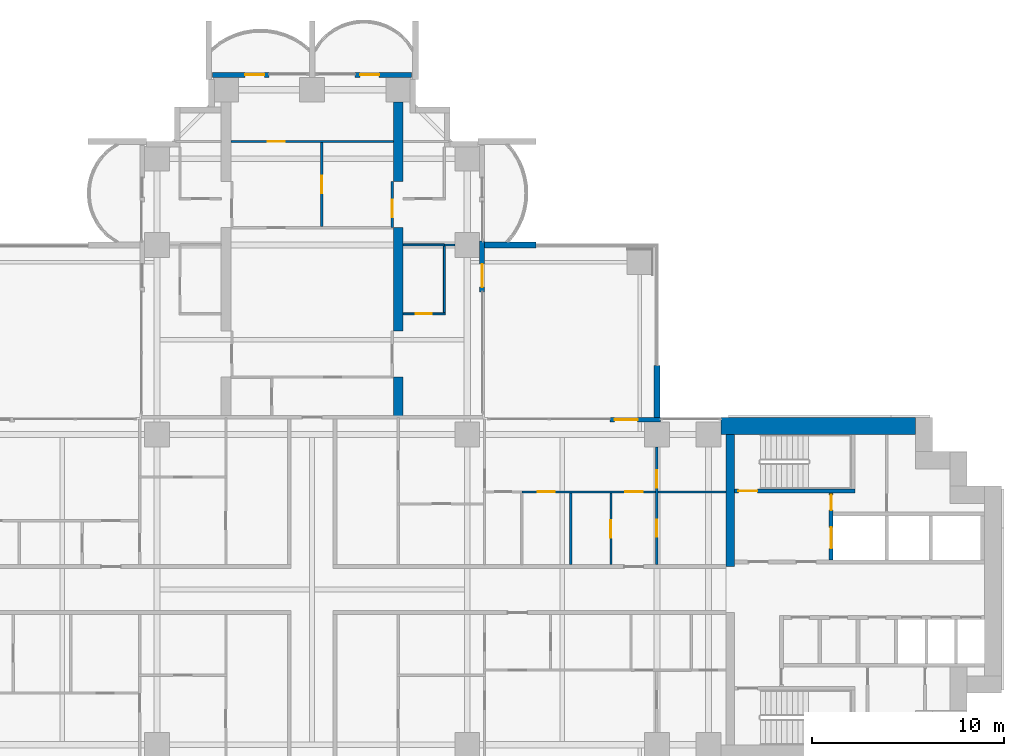
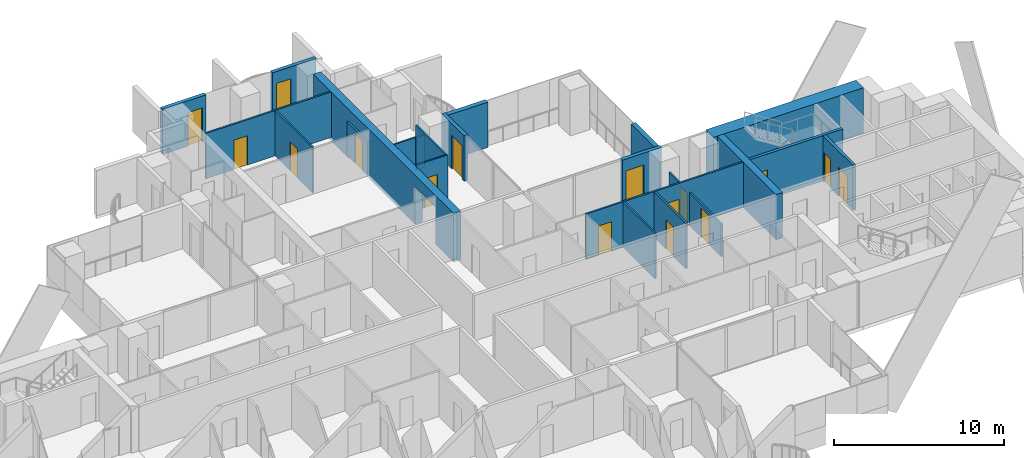
# One storey, part 16 of 23: 22 walls, 16 doors, 16 openings.
"""IFC4 building model written with IfcOpenShell, lengths in metres."""

from ifc_helpers import new_model, si_unit, direction, frame, frame_2d, origin, place, context, subcontext, project, spatial, polyline, rectangle, outline, extrude, material, layer, layer_set, material_profile, profile_set, type_object, element, fill, save


model = new_model("IFC4")

# Units and contexts
model_context = context("Model", 3, precision=1e-05, world=origin(), true_north=direction((0.0, 1.0)))
body_context = subcontext(model_context, "Body", "Model", "MODEL_VIEW")
ifc_project = project(units=[si_unit("LENGTHUNIT", "METRE"), si_unit("AREAUNIT", "SQUARE_METRE"), si_unit("VOLUMEUNIT", "CUBIC_METRE"), si_unit("PLANEANGLEUNIT", "RADIAN"), si_unit("MASSUNIT", "GRAM", prefix="KILO")], contexts=[model_context])

# Site, building, storey
site_placement = place(None, origin())
site = spatial("IfcSite", under=ifc_project, at=site_placement, CompositionType="ELEMENT")
building_placement = place(site_placement, origin())
building = spatial("IfcBuilding", under=site, at=building_placement, Name="Perihelion Cross Residences", CompositionType="ELEMENT")
storey_placement = place(building_placement, frame((0.0, 0.0, 85.5)))
storey = spatial("IfcBuildingStorey", under=building, at=storey_placement, Name="L19", CompositionType="ELEMENT", Elevation=85.5)

# Wall, opening, door
ifc_material_1 = material(Name="Concrete C30/37, bronze-clad", Category="concrete")
ifc_layer_1 = layer(ifc_material_1, 0.25)
ifc_layer_set_1 = layer_set([ifc_layer_1], Name="Bronze-clad pier wall 250")
wall_type_1 = type_object("IfcWallType", Name="Bronze-clad pier wall 250", PredefinedType="SOLIDWALL", material=ifc_layer_set_1)
wall_1_placement = place(storey_placement, frame((18.199951171875, 8.875, 0.0), z_axis=(0.0, 0.0, 1.0), x_axis=(-1.0, 0.0, 0.0)))
wall_1 = element("IfcWall", 1, at=wall_1_placement, inside=storey, type_object=wall_type_1, Name="Wall FW1 L19 east side north bay 2 pier", PredefinedType="SOLIDWALL", context=body_context, shape_type="SweptSolid", body=[
    extrude(rectangle(XDim=2.64990234375, YDim=0.25, at=frame_2d((1.324951171875, 0.0))), origin(), (0.0, 0.0, 1.0), 3.25),
])
opening_1_placement = place(wall_1_placement, frame((1.199951171875, 0.0, 0.0)))
opening_1 = element("IfcOpeningElement", 2, at=opening_1_placement, cuts=wall_1, Name="Opening L19.E01", PredefinedType="OPENING", context=body_context, shape_type="SweptSolid", body=[
    extrude(rectangle(XDim=1.199951171875, YDim=2.39990234375, at=frame_2d((0.60009765625, 1.199951171875))), frame((0.0, 0.135009765625, 0.0), z_axis=(0.0, -1.0, 0.0), x_axis=(1.0, 0.0, 0.0)), (0.0, 0.0, 1.0), 0.27001953125),
])
ifc_material_2 = material(Name="Bronze anodised aluminium, glazed", Category="aluminium")
door_type_1 = type_object("IfcDoorType", Name="Balcony door 1200 x 2400", OperationType="NOTDEFINED", PredefinedType="DOOR", material=ifc_material_2)
door_1_placement = place(opening_1_placement, origin())
door_1 = element("IfcDoor", 3, at=door_1_placement, inside=storey, type_object=door_type_1, Name="Door L19.E01 east side north bay 2", OperationType="SINGLE_SWING_RIGHT", OverallHeight=2.39990234375, OverallWidth=1.199951171875, PredefinedType="DOOR", context=body_context, shape_type="SweptSolid", body=[
    extrude(rectangle(XDim=1.199951171875, YDim=2.39990234375, at=frame_2d((0.60009765625, 1.199951171875))), frame((0.0, 0.02490234375, 0.0), z_axis=(0.0, -1.0, 0.0), x_axis=(1.0, 0.0, 0.0)), (0.0, 0.0, 1.0), 0.050048828125),
])
fill(opening_1, door_1)

wall_2_placement = place(storey_placement, frame((8.875, 15.550048828125, 0.0), z_axis=(0.0, 0.0, 1.0), x_axis=(0.0, 1.0, 0.0)))
wall_2 = element("IfcWall", 4, at=wall_2_placement, inside=storey, type_object=wall_type_1, Name="Wall FW1 L19 north side east bay 1 pier", PredefinedType="SOLIDWALL", context=body_context, shape_type="SweptSolid", body=[
    extrude(rectangle(XDim=2.64990234375, YDim=0.25, at=frame_2d((1.324951171875, 0.0))), origin(), (0.0, 0.0, 1.0), 3.25),
])
opening_2_placement = place(wall_2_placement, frame((0.25, 0.0, 0.0)))
opening_2 = element("IfcOpeningElement", 5, at=opening_2_placement, cuts=wall_2, Name="Opening L19.E02", PredefinedType="OPENING", context=body_context, shape_type="SweptSolid", body=[
    extrude(rectangle(XDim=1.199951171875, YDim=2.39990234375, at=frame_2d((0.60009765625, 1.199951171875))), frame((0.0, 0.135009765625, 0.0), z_axis=(0.0, -1.0, 0.0), x_axis=(1.0, 0.0, 0.0)), (0.0, 0.0, 1.0), 0.27001953125),
])
door_2_placement = place(opening_2_placement, origin())
door_2 = element("IfcDoor", 6, at=door_2_placement, inside=storey, type_object=door_type_1, Name="Door L19.E02 north side east bay 1", OperationType="SINGLE_SWING_LEFT", OverallHeight=2.39990234375, OverallWidth=1.199951171875, PredefinedType="DOOR", context=body_context, shape_type="SweptSolid", body=[
    extrude(rectangle(XDim=1.199951171875, YDim=2.39990234375, at=frame_2d((0.60009765625, 1.199951171875))), frame((0.0, 0.02490234375, 0.0), z_axis=(0.0, -1.0, 0.0), x_axis=(1.0, 0.0, 0.0)), (0.0, 0.0, 1.0), 0.050048828125),
])
fill(opening_2, door_2)

wall_3_placement = place(storey_placement, frame((5.199951171875, 26.875, 0.0), z_axis=(0.0, 0.0, 1.0), x_axis=(-1.0, 0.0, 0.0)))
wall_3 = element("IfcWall", 7, at=wall_3_placement, inside=storey, type_object=wall_type_1, Name="Wall FW1 L19 north tip north bay 1 pier", PredefinedType="SOLIDWALL", context=body_context, shape_type="SweptSolid", body=[
    extrude(rectangle(XDim=2.949951171875, YDim=0.25, at=frame_2d((1.47509765625, 0.0))), origin(), (0.0, 0.0, 1.0), 3.25),
])
opening_3_placement = place(wall_3_placement, frame((1.699951171875, 0.0, 0.0)))
opening_3 = element("IfcOpeningElement", 8, at=opening_3_placement, cuts=wall_3, Name="Opening L19.E04", PredefinedType="OPENING", context=body_context, shape_type="SweptSolid", body=[
    extrude(rectangle(XDim=1.0, YDim=2.39990234375, at=frame_2d((0.5, 1.199951171875))), frame((0.0, 0.135009765625, 0.0), z_axis=(0.0, -1.0, 0.0), x_axis=(1.0, 0.0, 0.0)), (0.0, 0.0, 1.0), 0.27001953125),
])
ifc_material_3 = material(Name="Bronze anodised aluminium, glazed", Category="aluminium")
door_type_2 = type_object("IfcDoorType", Name="Balcony door 1000 x 2400", OperationType="NOTDEFINED", PredefinedType="DOOR", material=ifc_material_3)
door_3_placement = place(opening_3_placement, origin())
door_3 = element("IfcDoor", 9, at=door_3_placement, inside=storey, type_object=door_type_2, Name="Door L19.E04 north tip north bay 1", OperationType="SINGLE_SWING_LEFT", OverallHeight=2.39990234375, OverallWidth=1.0, PredefinedType="DOOR", context=body_context, shape_type="SweptSolid", body=[
    extrude(rectangle(XDim=1.0, YDim=2.39990234375, at=frame_2d((0.5, 1.199951171875))), frame((0.0, 0.02490234375, 0.0), z_axis=(0.0, -1.0, 0.0), x_axis=(1.0, 0.0, 0.0)), (0.0, 0.0, 1.0), 0.050048828125),
])
fill(opening_3, door_3)

wall_4_placement = place(storey_placement, frame((-2.25, 26.875, 0.0), z_axis=(0.0, 0.0, 1.0), x_axis=(-1.0, 0.0, 0.0)))
wall_4 = element("IfcWall", 10, at=wall_4_placement, inside=storey, type_object=wall_type_1, Name="Wall FW1 L19 north tip north bay 2 pier", PredefinedType="SOLIDWALL", context=body_context, shape_type="SweptSolid", body=[
    extrude(rectangle(XDim=2.949951171875, YDim=0.25, at=frame_2d((1.47509765625, 0.0))), origin(), (0.0, 0.0, 1.0), 3.25),
])
opening_4_placement = place(wall_4_placement, frame((0.25, 0.0, 0.0)))
opening_4 = element("IfcOpeningElement", 11, at=opening_4_placement, cuts=wall_4, Name="Opening L19.E05", PredefinedType="OPENING", context=body_context, shape_type="SweptSolid", body=[
    extrude(rectangle(XDim=1.0, YDim=2.39990234375, at=frame_2d((0.5, 1.199951171875))), frame((0.0, 0.135009765625, 0.0), z_axis=(0.0, -1.0, 0.0), x_axis=(1.0, 0.0, 0.0)), (0.0, 0.0, 1.0), 0.27001953125),
])
door_4_placement = place(opening_4_placement, origin())
door_4 = element("IfcDoor", 12, at=door_4_placement, inside=storey, type_object=door_type_2, Name="Door L19.E05 north tip north bay 2", OperationType="SINGLE_SWING_RIGHT", OverallHeight=2.39990234375, OverallWidth=1.0, PredefinedType="DOOR", context=body_context, shape_type="SweptSolid", body=[
    extrude(rectangle(XDim=1.0, YDim=2.39990234375, at=frame_2d((0.5, 1.199951171875))), frame((0.0, 0.02490234375, 0.0), z_axis=(0.0, -1.0, 0.0), x_axis=(1.0, 0.0, 0.0)), (0.0, 0.0, 1.0), 0.050048828125),
])
fill(opening_4, door_4)

# Walls
ifc_material_4 = material(Name="Concrete C60/75", Category="concrete")
ifc_layer_2 = layer(ifc_material_4, 0.449951171875)
ifc_layer_set_2 = layer_set([ifc_layer_2], Name="Core wall, inner 450")
wall_type_2 = type_object("IfcWallType", Name="Core wall, inner 450", PredefinedType="SHEAR", material=ifc_layer_set_2)
wall_5_placement = place(storey_placement, frame((21.824951171875, 1.199951171875, 0.0), z_axis=(0.0, 0.0, 1.0), x_axis=(0.0, 1.0, 0.0)))
element("IfcWall", 13, at=wall_5_placement, inside=storey, type_object=wall_type_2, Name="East core core wall, inner", PredefinedType="SHEAR", context=body_context, shape_type="SweptSolid", body=[
    extrude(rectangle(XDim=6.900146484375, YDim=0.449951171875, at=frame_2d((3.4501953125, 0.0))), origin(), (0.0, 0.0, 1.0), 3.25),
])
ifc_material_5 = material(Name="Concrete C60/75", Category="concrete")
ifc_layer_3 = layer(ifc_material_5, 0.89990234375)
ifc_layer_set_3 = layer_set([ifc_layer_3], Name="Core wall, outer 900")
wall_type_3 = type_object("IfcWallType", Name="Core wall, outer 900", PredefinedType="SHEAR", material=ifc_layer_set_3)
wall_6_placement = place(storey_placement, frame((21.35009765625, 8.550048828125, 0.0), z_axis=(0.0, 0.0, 1.0), x_axis=(1.0, 0.0, 0.0)))
element("IfcWall", 14, at=wall_6_placement, inside=storey, type_object=wall_type_3, Name="East core core wall, outer", PredefinedType="SHEAR", context=body_context, shape_type="SweptSolid", body=[
    extrude(rectangle(XDim=10.14990234375, YDim=0.89990234375, at=frame_2d((5.074951171875, 0.0))), origin(), (0.0, 0.0, 1.0), 3.25),
])

# Wall, opening, door
ifc_material_6 = material(Name="Plasterboard partition")
ifc_layer_4 = layer(ifc_material_6, 0.1201171875)
ifc_layer_set_4 = layer_set([ifc_layer_4], Name="Infill panel 120")
wall_type_4 = type_object("IfcWallType", Name="Infill panel 120", PredefinedType="PARTITIONING", material=ifc_layer_set_4)
wall_7_placement = place(storey_placement, frame((4.18994140625, 18.89990234375, 0.0), z_axis=(0.0, 0.0, 1.0), x_axis=(0.0, 1.0, 0.0)))
wall_7 = element("IfcWall", 15, at=wall_7_placement, inside=storey, type_object=wall_type_4, Name="Partition L19 WI02", PredefinedType="PARTITIONING", context=body_context, shape_type="SweptSolid", body=[
    extrude(rectangle(XDim=2.400146484375, YDim=0.1201171875, at=frame_2d((1.2001953125, 0.0))), origin(), (0.0, 0.0, 1.0), 2.39990234375),
])
opening_5_placement = place(wall_7_placement, frame((0.550048828125, 0.0, 0.0)))
opening_5 = element("IfcOpeningElement", 16, at=opening_5_placement, cuts=wall_7, Name="Opening L19.A58", PredefinedType="OPENING", context=body_context, shape_type="SweptSolid", body=[
    extrude(rectangle(XDim=0.89990234375, YDim=2.10009765625, at=frame_2d((0.449951171875, 1.050048828125))), frame((0.0, 0.070068359375, 0.0), z_axis=(0.0, -1.0, 0.0), x_axis=(1.0, 0.0, 0.0)), (0.0, 0.0, 1.0), 0.14013671875),
])
ifc_material_7 = material(Name="Timber door leaf", Category="wood")
door_type_3 = type_object("IfcDoorType", Name="Interior room door 900 x 2100", OperationType="SINGLE_SWING_LEFT", PredefinedType="DOOR", material=ifc_material_7)
door_5_placement = place(opening_5_placement, origin())
door_5 = element("IfcDoor", 17, at=door_5_placement, inside=storey, type_object=door_type_3, Name="Door L19.A58", OperationType="SINGLE_SWING_RIGHT", OverallHeight=2.10009765625, OverallWidth=0.89990234375, PredefinedType="DOOR", context=body_context, shape_type="SweptSolid", body=[
    extrude(rectangle(XDim=0.89990234375, YDim=2.10009765625, at=frame_2d((0.449951171875, 1.050048828125))), frame((0.0, 0.02490234375, 0.0), z_axis=(0.0, -1.0, 0.0), x_axis=(1.0, 0.0, 0.0)), (0.0, 0.0, 1.0), 0.050048828125),
])
fill(opening_5, door_5)

# Wall
ifc_material_8 = material(Name="Plasterboard partition")
ifc_layer_5 = layer(ifc_material_8, 0.1201171875)
ifc_layer_set_5 = layer_set([ifc_layer_5], Name="Partition wall 120")
wall_type_5 = type_object("IfcWallType", Name="Partition wall 120", PredefinedType="PARTITIONING", material=ifc_layer_set_5)
wall_8_placement = place(storey_placement, frame((13.5, 5.0400390625, 0.0), z_axis=(0.0, 0.0, 1.0), x_axis=(0.0, -1.0, 0.0)))
element("IfcWall", 18, at=wall_8_placement, inside=storey, type_object=wall_type_5, Name="Partition L19 W014", PredefinedType="PARTITIONING", context=body_context, shape_type="SweptSolid", body=[
    extrude(rectangle(XDim=3.739990234375, YDim=0.1201171875, at=frame_2d((1.8701171875, 0.0))), origin(), (0.0, 0.0, 1.0), 3.25),
])

# Wall, openings, doors
wall_9_placement = place(storey_placement, frame((10.949951171875, 5.10009765625, 0.0), z_axis=(0.0, 0.0, 1.0), x_axis=(1.0, 0.0, 0.0)))
wall_9 = element("IfcWall", 19, at=wall_9_placement, inside=storey, type_object=wall_type_5, Name="Partition L19 W015", PredefinedType="PARTITIONING", context=body_context, shape_type="SweptSolid", body=[
    extrude(rectangle(XDim=10.650146484375, YDim=0.1201171875, at=frame_2d((5.3251953125, 0.0))), origin(), (0.0, 0.0, 1.0), 3.25),
])
opening_6_placement = place(wall_9_placement, frame((5.39990234375, 0.0, 0.0)))
opening_6 = element("IfcOpeningElement", 20, at=opening_6_placement, cuts=wall_9, Name="Opening L19.A07", PredefinedType="OPENING", context=body_context, shape_type="SweptSolid", body=[
    extrude(rectangle(XDim=0.89990234375, YDim=2.10009765625, at=frame_2d((0.449951171875, 1.050048828125))), frame((0.0, 0.070068359375, 0.0), z_axis=(0.0, -1.0, 0.0), x_axis=(1.0, 0.0, 0.0)), (0.0, 0.0, 1.0), 0.14013671875),
])
opening_7_placement = place(wall_9_placement, frame((0.824951171875, 0.0, 0.0)))
opening_7 = element("IfcOpeningElement", 21, at=opening_7_placement, cuts=wall_9, Name="Opening L19.A08", PredefinedType="OPENING", context=body_context, shape_type="SweptSolid", body=[
    extrude(rectangle(XDim=0.89990234375, YDim=2.10009765625, at=frame_2d((0.449951171875, 1.050048828125))), frame((0.0, 0.070068359375, 0.0), z_axis=(0.0, -1.0, 0.0), x_axis=(1.0, 0.0, 0.0)), (0.0, 0.0, 1.0), 0.14013671875),
])
door_6_placement = place(opening_6_placement, origin())
door_6 = element("IfcDoor", 22, at=door_6_placement, inside=storey, type_object=door_type_3, Name="Door L19.A07", OperationType="SINGLE_SWING_LEFT", OverallHeight=2.10009765625, OverallWidth=0.89990234375, PredefinedType="DOOR", context=body_context, shape_type="SweptSolid", body=[
    extrude(rectangle(XDim=0.89990234375, YDim=2.10009765625, at=frame_2d((0.449951171875, 1.050048828125))), frame((0.0, 0.02490234375, 0.0), z_axis=(0.0, -1.0, 0.0), x_axis=(1.0, 0.0, 0.0)), (0.0, 0.0, 1.0), 0.050048828125),
])
fill(opening_6, door_6)
door_7_placement = place(opening_7_placement, origin())
door_7 = element("IfcDoor", 23, at=door_7_placement, inside=storey, type_object=door_type_3, Name="Door L19.A08", OperationType="SINGLE_SWING_RIGHT", OverallHeight=2.10009765625, OverallWidth=0.89990234375, PredefinedType="DOOR", context=body_context, shape_type="SweptSolid", body=[
    extrude(rectangle(XDim=0.89990234375, YDim=2.10009765625, at=frame_2d((0.449951171875, 1.050048828125))), frame((0.0, 0.02490234375, 0.0), z_axis=(0.0, -1.0, 0.0), x_axis=(1.0, 0.0, 0.0)), (0.0, 0.0, 1.0), 0.050048828125),
])
fill(opening_7, door_7)

# Wall, opening, door
wall_10_placement = place(storey_placement, frame((15.60009765625, 5.0400390625, 0.0), z_axis=(0.0, 0.0, 1.0), x_axis=(0.0, -1.0, 0.0)))
wall_10 = element("IfcWall", 24, at=wall_10_placement, inside=storey, type_object=wall_type_5, Name="Partition L19 W016", PredefinedType="PARTITIONING", context=body_context, shape_type="SweptSolid", body=[
    extrude(rectangle(XDim=3.739990234375, YDim=0.1201171875, at=frame_2d((1.8701171875, 0.0))), origin(), (0.0, 0.0, 1.0), 3.25),
])
opening_8_placement = place(wall_10_placement, frame((1.419921875, 0.0, 0.0)))
opening_8 = element("IfcOpeningElement", 25, at=opening_8_placement, cuts=wall_10, Name="Opening L19.A09", PredefinedType="OPENING", context=body_context, shape_type="SweptSolid", body=[
    extrude(rectangle(XDim=0.89990234375, YDim=2.10009765625, at=frame_2d((0.449951171875, 1.050048828125))), frame((0.0, 0.070068359375, 0.0), z_axis=(0.0, -1.0, 0.0), x_axis=(1.0, 0.0, 0.0)), (0.0, 0.0, 1.0), 0.14013671875),
])
door_8_placement = place(opening_8_placement, origin())
door_8 = element("IfcDoor", 26, at=door_8_placement, inside=storey, type_object=door_type_3, Name="Door L19.A09", OperationType="SINGLE_SWING_RIGHT", OverallHeight=2.10009765625, OverallWidth=0.89990234375, PredefinedType="DOOR", context=body_context, shape_type="SweptSolid", body=[
    extrude(rectangle(XDim=0.89990234375, YDim=2.10009765625, at=frame_2d((0.449951171875, 1.050048828125))), frame((0.0, 0.02490234375, 0.0), z_axis=(0.0, -1.0, 0.0), x_axis=(1.0, 0.0, 0.0)), (0.0, 0.0, 1.0), 0.050048828125),
])
fill(opening_8, door_8)

# Wall, openings, doors
wall_11_placement = place(storey_placement, frame((18.0, 7.449951171875, 0.0), z_axis=(0.0, 0.0, 1.0), x_axis=(0.0, -1.0, 0.0)))
wall_11 = element("IfcWall", 27, at=wall_11_placement, inside=storey, type_object=wall_type_5, Name="Partition L19 W017", PredefinedType="PARTITIONING", context=body_context, shape_type="SweptSolid", body=[
    extrude(rectangle(XDim=6.14990234375, YDim=0.1201171875, at=frame_2d((3.074951171875, 0.0))), origin(), (0.0, 0.0, 1.0), 2.345947265625),
])
opening_9_placement = place(wall_11_placement, frame((3.800048828125, 0.0, 0.0)))
opening_9 = element("IfcOpeningElement", 28, at=opening_9_placement, cuts=wall_11, Name="Opening L19.A02", PredefinedType="OPENING", context=body_context, shape_type="SweptSolid", body=[
    extrude(rectangle(XDim=0.89990234375, YDim=2.10009765625, at=frame_2d((0.449951171875, 1.050048828125))), frame((0.0, 0.070068359375, 0.0), z_axis=(0.0, -1.0, 0.0), x_axis=(1.0, 0.0, 0.0)), (0.0, 0.0, 1.0), 0.14013671875),
])
opening_10_placement = place(wall_11_placement, frame((1.22509765625, 0.0, 0.0)))
opening_10 = element("IfcOpeningElement", 29, at=opening_10_placement, cuts=wall_11, Name="Opening L19.A06", PredefinedType="OPENING", context=body_context, shape_type="SweptSolid", body=[
    extrude(rectangle(XDim=0.89990234375, YDim=2.10009765625, at=frame_2d((0.449951171875, 1.050048828125))), frame((0.0, 0.070068359375, 0.0), z_axis=(0.0, -1.0, 0.0), x_axis=(1.0, 0.0, 0.0)), (0.0, 0.0, 1.0), 0.14013671875),
])
door_9_placement = place(opening_9_placement, origin())
door_9 = element("IfcDoor", 30, at=door_9_placement, inside=storey, type_object=door_type_3, Name="Door L19.A02", OperationType="SINGLE_SWING_RIGHT", OverallHeight=2.10009765625, OverallWidth=0.89990234375, PredefinedType="DOOR", context=body_context, shape_type="SweptSolid", body=[
    extrude(rectangle(XDim=0.89990234375, YDim=2.10009765625, at=frame_2d((0.449951171875, 1.050048828125))), frame((0.0, 0.02490234375, 0.0), z_axis=(0.0, -1.0, 0.0), x_axis=(1.0, 0.0, 0.0)), (0.0, 0.0, 1.0), 0.050048828125),
])
fill(opening_9, door_9)
door_10_placement = place(opening_10_placement, origin())
door_10 = element("IfcDoor", 31, at=door_10_placement, inside=storey, type_object=door_type_3, Name="Door L19.A06", OperationType="SINGLE_SWING_RIGHT", OverallHeight=2.10009765625, OverallWidth=0.89990234375, PredefinedType="DOOR", context=body_context, shape_type="SweptSolid", body=[
    extrude(rectangle(XDim=0.89990234375, YDim=2.10009765625, at=frame_2d((0.449951171875, 1.050048828125))), frame((0.0, 0.02490234375, 0.0), z_axis=(0.0, -1.0, 0.0), x_axis=(1.0, 0.0, 0.0)), (0.0, 0.0, 1.0), 0.050048828125),
])
fill(opening_10, door_10)

# Wall, opening, door
wall_12_placement = place(storey_placement, frame((0.5, 23.340087890625, 0.0), z_axis=(0.0, 0.0, 1.0), x_axis=(0.0, -1.0, 0.0)))
wall_12 = element("IfcWall", 32, at=wall_12_placement, inside=storey, type_object=wall_type_5, Name="Partition L19 W053", PredefinedType="PARTITIONING", context=body_context, shape_type="SweptSolid", body=[
    extrude(rectangle(XDim=4.380126953125, YDim=0.1201171875, at=frame_2d((2.18994140625, 0.0))), origin(), (0.0, 0.0, 1.0), 3.25),
])
opening_11_placement = place(wall_12_placement, frame((1.739990234375, 0.0, 0.0)))
opening_11 = element("IfcOpeningElement", 33, at=opening_11_placement, cuts=wall_12, Name="Opening L19.A38", PredefinedType="OPENING", context=body_context, shape_type="SweptSolid", body=[
    extrude(rectangle(XDim=0.89990234375, YDim=2.10009765625, at=frame_2d((0.449951171875, 1.050048828125))), frame((0.0, 0.070068359375, 0.0), z_axis=(0.0, -1.0, 0.0), x_axis=(1.0, 0.0, 0.0)), (0.0, 0.0, 1.0), 0.14013671875),
])
door_11_placement = place(opening_11_placement, origin())
door_11 = element("IfcDoor", 34, at=door_11_placement, inside=storey, type_object=door_type_3, Name="Door L19.A38", OperationType="SINGLE_SWING_LEFT", OverallHeight=2.10009765625, OverallWidth=0.89990234375, PredefinedType="DOOR", context=body_context, shape_type="SweptSolid", body=[
    extrude(rectangle(XDim=0.89990234375, YDim=2.10009765625, at=frame_2d((0.449951171875, 1.050048828125))), frame((0.0, 0.02490234375, 0.0), z_axis=(0.0, -1.0, 0.0), x_axis=(1.0, 0.0, 0.0)), (0.0, 0.0, 1.0), 0.050048828125),
])
fill(opening_11, door_11)

wall_13_placement = place(storey_placement, frame((-4.25, 23.39990234375, 0.0), z_axis=(0.0, 0.0, 1.0), x_axis=(1.0, 0.0, 0.0)))
wall_13 = element("IfcWall", 35, at=wall_13_placement, inside=storey, type_object=wall_type_5, Name="Partition L19 W054", PredefinedType="PARTITIONING", context=body_context, shape_type="SweptSolid", body=[
    extrude(rectangle(XDim=8.5, YDim=0.1201171875, at=frame_2d((4.25, 0.0))), origin(), (0.0, 0.0, 1.0), 3.25),
])
opening_12_placement = place(wall_13_placement, frame((1.925048828125, 0.0, 0.0)))
opening_12 = element("IfcOpeningElement", 36, at=opening_12_placement, cuts=wall_13, Name="Opening L19.A39", PredefinedType="OPENING", context=body_context, shape_type="SweptSolid", body=[
    extrude(rectangle(XDim=0.89990234375, YDim=2.10009765625, at=frame_2d((0.449951171875, 1.050048828125))), frame((0.0, 0.070068359375, 0.0), z_axis=(0.0, -1.0, 0.0), x_axis=(1.0, 0.0, 0.0)), (0.0, 0.0, 1.0), 0.14013671875),
])
door_12_placement = place(opening_12_placement, origin())
door_12 = element("IfcDoor", 37, at=door_12_placement, inside=storey, type_object=door_type_3, Name="Door L19.A39", OperationType="SINGLE_SWING_LEFT", OverallHeight=2.10009765625, OverallWidth=0.89990234375, PredefinedType="DOOR", context=body_context, shape_type="SweptSolid", body=[
    extrude(rectangle(XDim=0.89990234375, YDim=2.10009765625, at=frame_2d((0.449951171875, 1.050048828125))), frame((0.0, 0.02490234375, 0.0), z_axis=(0.0, -1.0, 0.0), x_axis=(1.0, 0.0, 0.0)), (0.0, 0.0, 1.0), 0.050048828125),
])
fill(opening_12, door_12)

# Walls
wall_14_placement = place(storey_placement, frame((6.89990234375, 18.0, 0.0), z_axis=(0.0, 0.0, 1.0), x_axis=(1.0, 0.0, 0.0)))
element("IfcWall", 38, at=wall_14_placement, inside=storey, type_object=wall_type_5, Name="Partition L19 W057", PredefinedType="PARTITIONING", context=body_context, shape_type="SweptSolid", body=[
    extrude(rectangle(XDim=0.550048828125, YDim=0.1201171875, at=frame_2d((0.27490234375, 0.0))), origin(), (0.0, 0.0, 1.0), 2.345947265625),
])
ifc_material_9 = material(Name="Precast concrete C50/60", Category="concrete")
ifc_layer_6 = layer(ifc_material_9, 0.300048828125)
ifc_layer_set_6 = layer_set([ifc_layer_6], Name="Precast concrete C50/60 blade wall 300")
wall_type_6 = type_object("IfcWallType", Name="Precast concrete C50/60 blade wall 300", PredefinedType="SOLIDWALL", material=ifc_layer_set_6)
for number, where, z_axis, x_axis, name in (
    (39, (8.75, 18.0, 0.0), (0.0, 0.0, 1.0), (1.0, 0.0, 0.0), "Wall BL1 L19 no. 17"),
    (40, (18.0, 8.75, 0.0), (0.0, 0.0, 1.0), (0.0, 1.0, 0.0), "Wall BL1 L19 no. 12"),
):
    element("IfcWall", number, at=place(storey_placement, frame(where, z_axis=z_axis, x_axis=x_axis)), inside=storey, type_object=wall_type_6, Name=name, PredefinedType="SOLIDWALL", context=body_context, shape_type="SweptSolid", body=[
        extrude(rectangle(XDim=2.949951171875, YDim=0.300048828125, at=frame_2d((1.47509765625, 0.0))), origin(), (0.0, 0.0, 1.0), 3.25),
    ])

# Wall, openings, doors
ifc_material_10 = material(Name="Concrete C50/60", Category="concrete")
ifc_layer_7 = layer(ifc_material_10, 0.199951171875)
ifc_layer_set_7 = layer_set([ifc_layer_7], Name="Shaft wall 200")
wall_type_7 = type_object("IfcWallType", Name="Shaft wall 200", PredefinedType="SOLIDWALL", material=ifc_layer_set_7)
wall_15_placement = place(storey_placement, frame((27.10009765625, 1.550048828125, 0.0), z_axis=(0.0, 0.0, 1.0), x_axis=(0.0, 1.0, 0.0)))
wall_15 = element("IfcWall", 41, at=wall_15_placement, inside=storey, type_object=wall_type_7, Name="East core shaft wall", PredefinedType="SOLIDWALL", context=body_context, shape_type="SweptSolid", body=[
    extrude(rectangle(XDim=3.5, YDim=0.199951171875, at=frame_2d((1.75, 0.0))), origin(), (0.0, 0.0, 1.0), 3.25),
])
opening_13_placement = place(wall_15_placement, frame((0.60009765625, 0.0, 0.0)))
opening_13 = element("IfcOpeningElement", 42, at=opening_13_placement, cuts=wall_15, Name="Opening L19.C01", PredefinedType="OPENING", context=body_context, shape_type="SweptSolid", body=[
    extrude(rectangle(XDim=1.10009765625, YDim=2.10009765625, at=frame_2d((0.550048828125, 1.050048828125))), frame((0.0, 0.10986328125, 0.0), z_axis=(0.0, -1.0, 0.0), x_axis=(1.0, 0.0, 0.0)), (0.0, 0.0, 1.0), 0.219970703125),
])
opening_14_placement = place(wall_15_placement, frame((2.60009765625, 0.0, 0.0)))
opening_14 = element("IfcOpeningElement", 43, at=opening_14_placement, cuts=wall_15, Name="Opening L19.C11", PredefinedType="OPENING", context=body_context, shape_type="SweptSolid", body=[
    extrude(rectangle(XDim=0.800048828125, YDim=2.10009765625, at=frame_2d((0.39990234375, 1.050048828125))), frame((0.0, 0.10986328125, 0.0), z_axis=(0.0, -1.0, 0.0), x_axis=(1.0, 0.0, 0.0)), (0.0, 0.0, 1.0), 0.219970703125),
])
ifc_material_11 = material(Name="Stainless steel", Category="steel")
door_type_4 = type_object("IfcDoorType", Name="Landing door, firefighting lift 1100", OperationType="DOUBLE_DOOR_SLIDING", PredefinedType="DOOR", material=ifc_material_11)
door_13_placement = place(opening_13_placement, origin())
door_13 = element("IfcDoor", 44, at=door_13_placement, inside=storey, type_object=door_type_4, Name="Landing door, East core firefighting and service lift", OperationType="DOUBLE_DOOR_SLIDING", OverallHeight=2.10009765625, OverallWidth=1.10009765625, PredefinedType="DOOR", context=body_context, shape_type="SweptSolid", body=[
    extrude(rectangle(XDim=1.10009765625, YDim=2.10009765625, at=frame_2d((0.550048828125, 1.050048828125))), frame((0.0, 0.02490234375, 0.0), z_axis=(0.0, -1.0, 0.0), x_axis=(1.0, 0.0, 0.0)), (0.0, 0.0, 1.0), 0.050048828125),
])
fill(opening_13, door_13)
ifc_material_12 = material(Name="Steel, powder coated", Category="steel")
door_type_5 = type_object("IfcDoorType", Name="Riser door 800", OperationType="SINGLE_SWING_LEFT", PredefinedType="DOOR", material=ifc_material_12)
door_14_placement = place(opening_14_placement, origin())
door_14 = element("IfcDoor", 45, at=door_14_placement, inside=storey, type_object=door_type_5, Name="East core riser door", OperationType="SINGLE_SWING_LEFT", OverallHeight=2.10009765625, OverallWidth=0.800048828125, PredefinedType="DOOR", context=body_context, shape_type="SweptSolid", body=[
    extrude(rectangle(XDim=0.800048828125, YDim=2.10009765625, at=frame_2d((0.39990234375, 1.050048828125))), frame((0.0, 0.02490234375, 0.0), z_axis=(0.0, -1.0, 0.0), x_axis=(1.0, 0.0, 0.0)), (0.0, 0.0, 1.0), 0.050048828125),
])
fill(opening_14, door_14)

# Wall, opening, door
ifc_material_13 = material(Name="Concrete C50/60", Category="concrete")
ifc_layer_8 = layer(ifc_material_13, 0.199951171875)
ifc_layer_set_8 = layer_set([ifc_layer_8], Name="Stair wall 200")
wall_type_8 = type_object("IfcWallType", Name="Stair wall 200", PredefinedType="SOLIDWALL", material=ifc_layer_set_8)
wall_16_placement = place(storey_placement, frame((22.050048828125, 5.14990234375, 0.0), z_axis=(0.0, 0.0, 1.0), x_axis=(1.0, 0.0, 0.0)))
wall_16 = element("IfcWall", 46, at=wall_16_placement, inside=storey, type_object=wall_type_8, Name="East core stair wall", PredefinedType="SOLIDWALL", context=body_context, shape_type="SweptSolid", body=[
    extrude(rectangle(XDim=6.300048828125, YDim=0.199951171875, at=frame_2d((3.14990234375, 0.0))), origin(), (0.0, 0.0, 1.0), 3.25),
])
opening_15_placement = place(wall_16_placement, frame((0.199951171875, 0.0, 0.0)))
opening_15 = element("IfcOpeningElement", 47, at=opening_15_placement, cuts=wall_16, Name="Opening L19.C06", PredefinedType="OPENING", context=body_context, shape_type="SweptSolid", body=[
    extrude(rectangle(XDim=1.0, YDim=2.10009765625, at=frame_2d((0.5, 1.050048828125))), frame((0.0, 0.10986328125, 0.0), z_axis=(0.0, -1.0, 0.0), x_axis=(1.0, 0.0, 0.0)), (0.0, 0.0, 1.0), 0.219970703125),
])
ifc_material_14 = material(Name="Steel, powder coated", Category="steel")
door_type_6 = type_object("IfcDoorType", Name="Stair door 1000", OperationType="SINGLE_SWING_LEFT", PredefinedType="DOOR", material=ifc_material_14)
door_15_placement = place(opening_15_placement, origin())
door_15 = element("IfcDoor", 48, at=door_15_placement, inside=storey, type_object=door_type_6, Name="East core stair door", OperationType="SINGLE_SWING_LEFT", OverallHeight=2.10009765625, OverallWidth=1.0, PredefinedType="DOOR", context=body_context, shape_type="SweptSolid", body=[
    extrude(rectangle(XDim=1.0, YDim=2.10009765625, at=frame_2d((0.5, 1.050048828125))), frame((0.0, 0.02490234375, 0.0), z_axis=(0.0, -1.0, 0.0), x_axis=(1.0, 0.0, 0.0)), (0.0, 0.0, 1.0), 0.050048828125),
])
fill(opening_15, door_15)

# Wall
ifc_material_15 = material(Name="Concrete C60/75", Category="concrete")
ifc_material_profile = material_profile(ifc_material_15, outline(polyline([(0.0, 0.0), (2.10009765625, 0.0), (2.10009765625, 2.64990234375), (4.5, 2.64990234375), (4.5, 0.0), (9.89990234375, 0.0), (9.89990234375, 2.64990234375), (12.300048828125, 2.64990234375), (12.300048828125, 0.0), (16.449951171875, 0.0), (16.449951171875, 3.5), (0.0, 3.5), (0.0, 0.0)])), Name="Tip spine wall")
ifc_profile_set = profile_set([ifc_material_profile], Name="Concrete C60/75")
wall_type_9 = type_object("IfcWallType", Name="Tip spine wall 500 with 2 door openings 16450 long 3500 high concrete C60/75 hand B", PredefinedType="SHEAR", material=ifc_profile_set)
wall_17_placement = place(storey_placement, frame((4.25, 9.0, -0.25), z_axis=(1.0, 0.0, 0.0), x_axis=(0.0, 1.0, 0.0)))
element("IfcWall", 49, at=wall_17_placement, inside=storey, type_object=wall_type_9, Name="Shear wall SW23 L19 north east", PredefinedType="SHEAR", context=body_context, shape_type="SweptSolid", body=[
    extrude(outline(polyline([(0.0, 0.0), (2.10009765625, 0.0), (2.10009765625, 2.64990234375), (4.5, 2.64990234375), (4.5, 0.0), (9.89990234375, 0.0), (9.89990234375, 2.64990234375), (12.300048828125, 2.64990234375), (12.300048828125, 0.0), (16.449951171875, 0.0), (16.449951171875, 3.5), (0.0, 3.5), (0.0, 0.0)])), origin(), (0.0, 0.0, 1.0), 0.5),
])

# Wall, opening, door
ifc_material_16 = material(Name="Plasterboard partition")
ifc_layer_9 = layer(ifc_material_16, 0.10009765625)
ifc_layer_set_9 = layer_set([ifc_layer_9], Name="Wet room wall 100")
wall_type_10 = type_object("IfcWallType", Name="Wet room wall 100", PredefinedType="PARTITIONING", material=ifc_layer_set_9)
wall_18_placement = place(storey_placement, frame((4.75, 14.39990234375, 0.0), z_axis=(0.0, 0.0, 1.0), x_axis=(1.0, 0.0, 0.0)))
wall_18 = element("IfcWall", 50, at=wall_18_placement, inside=storey, type_object=wall_type_10, Name="Partition L19 W055", PredefinedType="PARTITIONING", context=body_context, shape_type="SweptSolid", body=[
    extrude(rectangle(XDim=2.199951171875, YDim=0.10009765625, at=frame_2d((1.10009765625, 0.0))), origin(), (0.0, 0.0, 1.0), 3.25),
])
opening_16_placement = place(wall_18_placement, frame((0.64990234375, 0.0, 0.0)))
opening_16 = element("IfcOpeningElement", 51, at=opening_16_placement, cuts=wall_18, Name="Opening L19.A40", PredefinedType="OPENING", context=body_context, shape_type="SweptSolid", body=[
    extrude(rectangle(XDim=0.85009765625, YDim=2.10009765625, at=frame_2d((0.425048828125, 1.050048828125))), frame((0.0, 0.06005859375, 0.0), z_axis=(0.0, -1.0, 0.0), x_axis=(1.0, 0.0, 0.0)), (0.0, 0.0, 1.0), 0.1201171875),
])
ifc_material_17 = material(Name="Timber door leaf", Category="wood")
door_type_7 = type_object("IfcDoorType", Name="Interior bathroom door 850 x 2100", OperationType="SINGLE_SWING_LEFT", PredefinedType="DOOR", material=ifc_material_17)
door_16_placement = place(opening_16_placement, origin())
door_16 = element("IfcDoor", 52, at=door_16_placement, inside=storey, type_object=door_type_7, Name="Door L19.A40", OperationType="SINGLE_SWING_RIGHT", OverallHeight=2.10009765625, OverallWidth=0.85009765625, PredefinedType="DOOR", context=body_context, shape_type="SweptSolid", body=[
    extrude(rectangle(XDim=0.85009765625, YDim=2.10009765625, at=frame_2d((0.425048828125, 1.050048828125))), frame((0.0, 0.02490234375, 0.0), z_axis=(0.0, -1.0, 0.0), x_axis=(1.0, 0.0, 0.0)), (0.0, 0.0, 1.0), 0.050048828125),
])
fill(opening_16, door_16)

# Walls
wall_19_placement = place(storey_placement, frame((6.89990234375, 14.449951171875, 0.0), z_axis=(0.0, 0.0, 1.0), x_axis=(0.0, 1.0, 0.0)))
element("IfcWall", 53, at=wall_19_placement, inside=storey, type_object=wall_type_10, Name="Partition L19 W056", PredefinedType="PARTITIONING", context=body_context, shape_type="SweptSolid", body=[
    extrude(rectangle(XDim=3.489990234375, YDim=0.10009765625, at=frame_2d((1.7451171875, 0.0))), origin(), (0.0, 0.0, 1.0), 3.25),
])
wall_20_placement = place(storey_placement, frame((4.75, 18.0, 0.0), z_axis=(0.0, 0.0, 1.0), x_axis=(1.0, 0.0, 0.0)))
element("IfcWall", 54, at=wall_20_placement, inside=storey, type_object=wall_type_10, Name="Partition L19 W058", PredefinedType="PARTITIONING", context=body_context, shape_type="SweptSolid", body=[
    extrude(rectangle(XDim=2.14990234375, YDim=0.10009765625, at=frame_2d((1.074951171875, 0.0))), origin(), (0.0, 0.0, 1.0), 2.345947265625),
])

save(model, "model.ifc")
